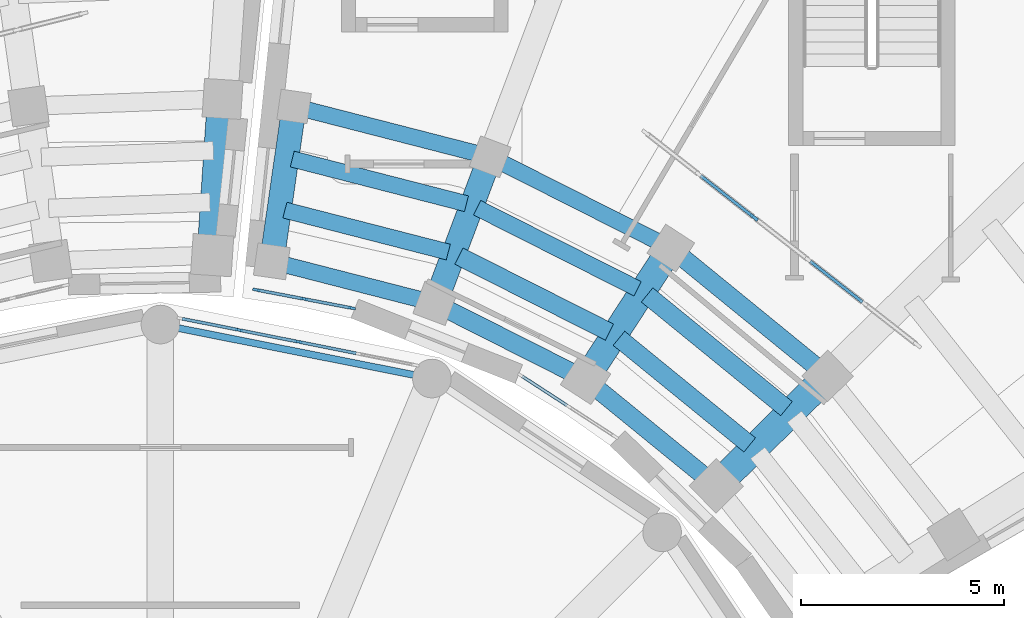
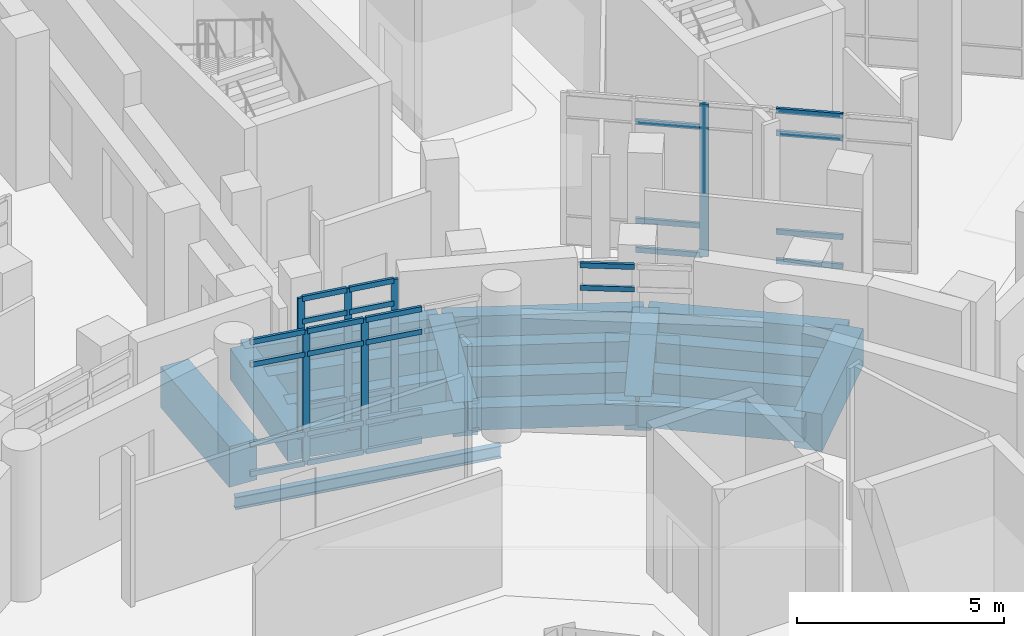
# One storey, part 31 of 89: 35 members, 18 beams, 4 elements without a shape of their own.
"""IFC4 building model written with IfcOpenShell, lengths in metres."""

from ifc_helpers import new_model, si_unit, direction, frame, origin, origin_2d, place, context, subcontext, project, spatial, rectangle, i_section, extrude, material, material_profile, profile_set, type_object, element, aggregate, save


model = new_model("IFC4")

# Units and contexts
model_context = context("Model", 3, precision=1e-05, world=origin(), true_north=direction((0.0, 1.0)))
body_context = subcontext(model_context, "Body", "Model", "MODEL_VIEW")
ifc_project = project(units=[si_unit("LENGTHUNIT", "METRE"), si_unit("AREAUNIT", "SQUARE_METRE"), si_unit("VOLUMEUNIT", "CUBIC_METRE"), si_unit("PLANEANGLEUNIT", "RADIAN"), si_unit("MASSUNIT", "GRAM", prefix="KILO")], contexts=[model_context])

# Site, building, storey
site_placement = place(None, origin())
site = spatial("IfcSite", under=ifc_project, at=site_placement, CompositionType="ELEMENT")
building_placement = place(site_placement, origin())
building = spatial("IfcBuilding", under=site, at=building_placement, Name="Soyqirgoq Riverine Aquarium", CompositionType="ELEMENT")
storey_placement = place(building_placement, frame((0.0, 0.0, 5.39990234375)))
storey = spatial("IfcBuildingStorey", under=building, at=storey_placement, Name="L02", CompositionType="ELEMENT", Elevation=5.39990234375)

# Beams
ifc_material_1 = material(Name="Concrete C40/50", Category="concrete")
ifc_material_profile_1 = material_profile(ifc_material_1, rectangle(XDim=0.39990234375, YDim=0.64990234375, at=origin_2d()), Name="RC 400x650")
ifc_profile_set_1 = profile_set([ifc_material_profile_1], Name="Concrete C40/50")
beam_type_1 = type_object("IfcBeamType", Name="Beam_RC_400x650", PredefinedType="BEAM", material=ifc_profile_set_1)
beam_1_placement = place(storey_placement, frame((63.52734375, 77.421630859375, -0.625), z_axis=(-0.968581092825, 0.248697942538, 0.0), x_axis=(-0.248697942538, -0.968581092825, 0.0)))
element("IfcBeam", 1, at=beam_1_placement, inside=storey, type_object=beam_type_1, Name="V5 L02 Secondary Floor Joist 0824", PredefinedType="BEAM", context=body_context, shape_type="SweptSolid", body=[
    extrude(rectangle(XDim=0.39990234375, YDim=0.64990234375, at=origin_2d()), origin(), (0.0, 0.0, 1.0), 4.42431640625),
])
beam_2_placement = place(storey_placement, frame((64.0615234375, 78.588623046875, -0.625), z_axis=(-0.968580462417, 0.248700397717, 0.0), x_axis=(-0.248700397717, -0.968580462417, 0.0)))
element("IfcBeam", 2, at=beam_2_placement, inside=storey, type_object=beam_type_1, Name="V5 L02 Wedge Chord Beam 0828", PredefinedType="BEAM", context=body_context, shape_type="SweptSolid", body=[
    extrude(rectangle(XDim=0.39990234375, YDim=0.64990234375, at=origin_2d()), origin(), (0.0, 0.0, 1.0), 4.87890625),
])
ifc_material_2 = material(Name="Concrete C40/50", Category="concrete")
ifc_material_profile_2 = material_profile(ifc_material_2, rectangle(XDim=0.39990234375, YDim=0.699951171875, at=origin_2d()), Name="RC 400x700")
ifc_profile_set_2 = profile_set([ifc_material_profile_2], Name="Concrete C40/50")
beam_type_2 = type_object("IfcBeamType", Name="Beam_RC_400x700", PredefinedType="BEAM", material=ifc_profile_set_2)
beam_3_placement = place(storey_placement, frame((62.70703125, 74.984619140625, -0.64990234375), z_axis=(-0.968579337856, 0.248704777354, 0.0), x_axis=(-0.248704777354, -0.968579337856, 0.0)))
element("IfcBeam", 3, at=beam_3_placement, inside=storey, type_object=beam_type_2, Name="V5 L02 Wedge Chord Beam 0816", PredefinedType="BEAM", context=body_context, shape_type="SweptSolid", body=[
    extrude(rectangle(XDim=0.39990234375, YDim=0.699951171875, at=origin_2d()), origin(), (0.0, 0.0, 1.0), 4.04736328125),
])
beam_4_placement = place(storey_placement, frame((67.737060546875, 75.3291015625, -0.64990234375), z_axis=(-0.89260992487, 0.450829814923, 0.0), x_axis=(-0.450829814923, -0.89260992487, 0.0)))
element("IfcBeam", 4, at=beam_4_placement, inside=storey, type_object=beam_type_2, Name="V5 L02 Secondary Floor Joist 0822", PredefinedType="BEAM", context=body_context, shape_type="SweptSolid", body=[
    extrude(rectangle(XDim=0.39990234375, YDim=0.699951171875, at=origin_2d()), origin(), (0.0, 0.0, 1.0), 4.42431640625),
])
beam_5_placement = place(storey_placement, frame((63.080322265625, 76.232421875, -0.64990234375), z_axis=(-0.96858651554, 0.24867682223, 0.0), x_axis=(-0.24867682223, -0.96858651554, 0.0)))
element("IfcBeam", 5, at=beam_5_placement, inside=storey, type_object=beam_type_2, Name="V5 L02 Secondary Floor Joist 0823", PredefinedType="BEAM", context=body_context, shape_type="SweptSolid", body=[
    extrude(rectangle(XDim=0.39990234375, YDim=0.699951171875, at=origin_2d()), origin(), (0.0, 0.0, 1.0), 4.14990234375),
])
beam_6_placement = place(storey_placement, frame((68.50927734375, 76.35400390625, -0.64990234375), z_axis=(-0.892588175526, 0.450872874446, 0.0), x_axis=(-0.450872874446, -0.892588175526, 0.0)))
element("IfcBeam", 6, at=beam_6_placement, inside=storey, type_object=beam_type_2, Name="V5 L02 Wedge Chord Beam 0827", PredefinedType="BEAM", context=body_context, shape_type="SweptSolid", body=[
    extrude(rectangle(XDim=0.39990234375, YDim=0.699951171875, at=origin_2d()), origin(), (0.0, 0.0, 1.0), 4.878662109375),
])
ifc_material_3 = material(Name="Concrete C40/50", Category="concrete")
ifc_material_profile_3 = material_profile(ifc_material_3, rectangle(XDim=0.449951171875, YDim=0.64990234375, at=origin_2d()), Name="RC 450x650")
ifc_profile_set_3 = profile_set([ifc_material_profile_3], Name="Concrete C40/50")
beam_type_3 = type_object("IfcBeamType", Name="Beam_RC_450x650", PredefinedType="BEAM", material=ifc_profile_set_3)
beam_7_placement = place(storey_placement, frame((66.41259765625, 73.125, -0.625), z_axis=(-0.892598018236, 0.45085338841, 0.0), x_axis=(-0.45085338841, -0.892598018236, 0.0)))
element("IfcBeam", 7, at=beam_7_placement, inside=storey, type_object=beam_type_3, Name="V5 L02 Wedge Chord Beam 0815", PredefinedType="BEAM", context=body_context, shape_type="SweptSolid", body=[
    extrude(rectangle(XDim=0.449951171875, YDim=0.64990234375, at=origin_2d()), origin(), (0.0, 0.0, 1.0), 4.047119140625),
])
beam_8_placement = place(storey_placement, frame((71.399169921875, 72.381103515625, -0.625), z_axis=(-0.774944675392, 0.632029073763, 0.0), x_axis=(-0.632029073763, -0.774944675392, 0.0)))
element("IfcBeam", 8, at=beam_8_placement, inside=storey, type_object=beam_type_3, Name="V5 L02 Secondary Floor Joist 0820", PredefinedType="BEAM", context=body_context, shape_type="SweptSolid", body=[
    extrude(rectangle(XDim=0.449951171875, YDim=0.64990234375, at=origin_2d()), origin(), (0.0, 0.0, 1.0), 4.424560546875),
])
beam_9_placement = place(storey_placement, frame((67.044921875, 74.263427734375, -0.625), z_axis=(-0.892584129687, 0.45088088386, 0.0), x_axis=(-0.45088088386, -0.892584129687, 0.0)))
element("IfcBeam", 9, at=beam_9_placement, inside=storey, type_object=beam_type_3, Name="V5 L02 Secondary Floor Joist 0821", PredefinedType="BEAM", context=body_context, shape_type="SweptSolid", body=[
    extrude(rectangle(XDim=0.449951171875, YDim=0.64990234375, at=origin_2d()), origin(), (0.0, 0.0, 1.0), 4.14990234375),
])
beam_10_placement = place(storey_placement, frame((72.37353515625, 73.21630859375, -0.625), z_axis=(-0.77496627639, 0.632002587383, 0.0), x_axis=(-0.632002587383, -0.77496627639, 0.0)))
element("IfcBeam", 10, at=beam_10_placement, inside=storey, type_object=beam_type_3, Name="V5 L02 Wedge Chord Beam 0826", PredefinedType="BEAM", context=body_context, shape_type="SweptSolid", body=[
    extrude(rectangle(XDim=0.449951171875, YDim=0.64990234375, at=origin_2d()), origin(), (0.0, 0.0, 1.0), 4.87890625),
])
ifc_material_4 = material(Name="Concrete C40/50", Category="concrete")
ifc_material_profile_4 = material_profile(ifc_material_4, rectangle(XDim=0.449951171875, YDim=0.699951171875, at=origin_2d()), Name="RC 450x700")
ifc_profile_set_4 = profile_set([ifc_material_profile_4], Name="Concrete C40/50")
beam_type_4 = type_object("IfcBeamType", Name="Beam_RC_450x700", PredefinedType="BEAM", material=ifc_profile_set_4)
beam_11_placement = place(storey_placement, frame((69.632080078125, 70.512939453125, -0.64990234375), z_axis=(-0.774942773491, 0.632031405719, 0.0), x_axis=(-0.632031405719, -0.774942773491, 0.0)))
element("IfcBeam", 11, at=beam_11_placement, inside=storey, type_object=beam_type_4, Name="V5 L02 Wedge Chord Beam 0814", PredefinedType="BEAM", context=body_context, shape_type="SweptSolid", body=[
    extrude(rectangle(XDim=0.449951171875, YDim=0.699951171875, at=origin_2d()), origin(), (0.0, 0.0, 1.0), 4.047119140625),
])
beam_12_placement = place(storey_placement, frame((70.494384765625, 71.489013671875, -0.64990234375), z_axis=(-0.774939332503, 0.63203562474, 0.0), x_axis=(-0.63203562474, -0.774939332503, 0.0)))
element("IfcBeam", 12, at=beam_12_placement, inside=storey, type_object=beam_type_4, Name="V5 L02 Secondary Floor Joist 0819", PredefinedType="BEAM", context=body_context, shape_type="SweptSolid", body=[
    extrude(rectangle(XDim=0.449951171875, YDim=0.699951171875, at=origin_2d()), origin(), (0.0, 0.0, 1.0), 4.149658203125),
])

# Curtain wall, members
ifc_material_5 = material(Name="Anodised aluminium thermally broken triple low-E glazing", Category="aluminium")
curtain_wall_type_1 = type_object("IfcCurtainWallType", Name="CW_DrumGallery_Unitised", PredefinedType="NOTDEFINED", material=ifc_material_5)
curtain_wall_1_placement = place(storey_placement, origin())
curtain_wall_1 = element("IfcCurtainWall", 13, at=curtain_wall_1_placement, inside=storey, type_object=curtain_wall_type_1, Name="V1 L02 Curtain Wall 013", PredefinedType="NOTDEFINED")
ifc_material_6 = material(Name="Anodised aluminium 6063-T6", Category="aluminium")
ifc_material_profile_5 = material_profile(ifc_material_6, rectangle(XDim=0.06494140625, YDim=0.179931640625, at=origin_2d()), Name="ALU-M 65x180")
ifc_profile_set_5 = profile_set([ifc_material_profile_5], Name="Anodised aluminium 6063-T6")
member_type_1 = type_object("IfcMemberType", Name="CWMullion_65x180", PredefinedType="MULLION", material=ifc_profile_set_5)
member_1_placement = place(storey_placement, frame((59.38671875, 74.0263671875, 0.0), z_axis=(0.0, 0.0, 1.0), x_axis=(-0.195088165618, -0.980785709335, 0.0)))
member_1 = element("IfcMember", 14, at=member_1_placement, type_object=member_type_1, Name="CW-01 mullion 3", PredefinedType="MULLION", context=body_context, shape_type="SweptSolid", body=[
    extrude(rectangle(XDim=0.06494140625, YDim=0.179931640625, at=origin_2d()), origin(), (0.0, 0.0, 1.0), 3.9501953125),
])
member_2_placement = place(storey_placement, frame((57.927978515625, 74.31640625, 0.0), z_axis=(0.0, 0.0, 1.0), x_axis=(-0.195088165618, -0.980785709335, 0.0)))
member_2 = element("IfcMember", 15, at=member_2_placement, type_object=member_type_1, Name="CW-01 mullion 4", PredefinedType="MULLION", context=body_context, shape_type="SweptSolid", body=[
    extrude(rectangle(XDim=0.06494140625, YDim=0.179931640625, at=origin_2d()), origin(), (0.0, 0.0, 1.0), 3.9501953125),
])

ifc_material_7 = material(Name="Anodised aluminium thermally broken double low-E glazing", Category="aluminium")
curtain_wall_type_2 = type_object("IfcCurtainWallType", Name="CW_Wedge_NorthBay", PredefinedType="NOTDEFINED", material=ifc_material_7)
curtain_wall_2_placement = place(storey_placement, origin())
curtain_wall_2 = element("IfcCurtainWall", 16, at=curtain_wall_2_placement, inside=storey, type_object=curtain_wall_type_2, Name="V5 L02 Curtain Wall 095", PredefinedType="NOTDEFINED")
member_3_placement = place(storey_placement, frame((60.709228515625, 74.8544921875, 0.0), z_axis=(0.0, 0.0, 1.0), x_axis=(-0.187684047551, -0.982229452977, 0.0)))
member_3 = element("IfcMember", 17, at=member_3_placement, type_object=member_type_1, Name="CW-03 mullion 1", PredefinedType="MULLION", context=body_context, shape_type="SweptSolid", body=[
    extrude(rectangle(XDim=0.06494140625, YDim=0.179931640625, at=origin_2d()), origin(), (0.0, 0.0, 1.0), 4.150146484375),
])
member_4_placement = place(storey_placement, frame((59.533935546875, 75.0791015625, 0.0), z_axis=(0.0, 0.0, 1.0), x_axis=(-0.187684047551, -0.982229452977, 0.0)))
member_4 = element("IfcMember", 18, at=member_4_placement, type_object=member_type_1, Name="CW-03 mullion 2", PredefinedType="MULLION", context=body_context, shape_type="SweptSolid", body=[
    extrude(rectangle(XDim=0.06494140625, YDim=0.179931640625, at=origin_2d()), origin(), (0.0, 0.0, 1.0), 4.150146484375),
])
member_5_placement = place(storey_placement, frame((58.3583984375, 75.3037109375, 0.0), z_axis=(0.0, 0.0, 1.0), x_axis=(-0.187684047551, -0.982229452977, 0.0)))
member_5 = element("IfcMember", 19, at=member_5_placement, type_object=member_type_1, Name="CW-03 mullion 3", PredefinedType="MULLION", context=body_context, shape_type="SweptSolid", body=[
    extrude(rectangle(XDim=0.06494140625, YDim=0.179931640625, at=origin_2d()), origin(), (0.0, 0.0, 1.0), 4.150146484375),
])

# Curtain wall, member
ifc_material_8 = material(Name="Cast polymethyl methacrylate PMMA Habitat Viewing Glazing", Category="glass")
curtain_wall_type_3 = type_object("IfcCurtainWallType", Name="CW_Interior_TankVitrine", PredefinedType="NOTDEFINED", material=ifc_material_8)
curtain_wall_3_placement = place(storey_placement, origin())
curtain_wall_3 = element("IfcCurtainWall", 20, at=curtain_wall_3_placement, inside=storey, type_object=curtain_wall_type_3, Name="V5 L02 Curtain Wall 159", PredefinedType="NOTDEFINED")
ifc_material_9 = material(Name="Anodised aluminium 6063-T6", Category="aluminium")
ifc_material_profile_6 = material_profile(ifc_material_9, rectangle(XDim=0.080078125, YDim=0.219970703125, at=origin_2d()), Name="ALU-M 80x220")
ifc_profile_set_6 = profile_set([ifc_material_profile_6], Name="Anodised aluminium 6063-T6")
member_type_2 = type_object("IfcMemberType", Name="CWMullion_80x220", PredefinedType="MULLION", material=ifc_profile_set_6)
member_6_placement = place(storey_placement, frame((70.60498046875, 77.082763671875, 0.0), z_axis=(0.0, 0.0, 1.0), x_axis=(-0.615661060826, -0.788011077449, 0.0)))
member_6 = element("IfcMember", 21, at=member_6_placement, type_object=member_type_2, Name="CW-07 mullion 4", PredefinedType="MULLION", context=body_context, shape_type="SweptSolid", body=[
    extrude(rectangle(XDim=0.080078125, YDim=0.219970703125, at=origin_2d()), origin(), (0.0, 0.0, 1.0), 4.5),
])

# Member
ifc_material_10 = material(Name="Anodised aluminium 6063-T6", Category="aluminium")
ifc_material_profile_7 = material_profile(ifc_material_10, rectangle(XDim=0.074951171875, YDim=0.14990234375, at=origin_2d()), Name="ALU-T 75x150")
ifc_profile_set_7 = profile_set([ifc_material_profile_7], Name="Anodised aluminium 6063-T6")
member_type_3 = type_object("IfcMemberType", Name="CWTransom_75x150", PredefinedType="USERDEFINED", material=ifc_profile_set_7)
member_7_placement = place(storey_placement, frame((60.813720703125, 73.742431640625, 0.03759765625), z_axis=(-0.980771657116, 0.195158798415, 0.0), x_axis=(-0.195158798415, -0.980771657116, 0.0)))
member_7 = element("IfcMember", 22, at=member_7_placement, type_object=member_type_3, Name="CW-01 transom 2.1", ObjectType="TRANSOM", PredefinedType="USERDEFINED", context=body_context, shape_type="SweptSolid", body=[
    extrude(rectangle(XDim=0.074951171875, YDim=0.14990234375, at=origin_2d()), origin(), (0.0, 0.0, 1.0), 1.42236328125),
])

member_8_placement = place(storey_placement, frame((60.813720703125, 73.742431640625, 0.900146484375), z_axis=(-0.980771657116, 0.195158798415, 0.0), x_axis=(-0.195158798415, -0.980771657116, 0.0)))
member_8 = element("IfcMember", 23, at=member_8_placement, type_object=member_type_3, Name="CW-01 transom 2.2", ObjectType="TRANSOM", PredefinedType="USERDEFINED", context=body_context, shape_type="SweptSolid", body=[
    extrude(rectangle(XDim=0.074951171875, YDim=0.14990234375, at=origin_2d()), origin(), (0.0, 0.0, 1.0), 1.42236328125),
])

member_9_placement = place(storey_placement, frame((60.813720703125, 73.742431640625, 3.25), z_axis=(-0.980771657116, 0.195158798415, 0.0), x_axis=(-0.195158798415, -0.980771657116, 0.0)))
member_9 = element("IfcMember", 24, at=member_9_placement, type_object=member_type_3, Name="CW-01 transom 2.3", ObjectType="TRANSOM", PredefinedType="USERDEFINED", context=body_context, shape_type="SweptSolid", body=[
    extrude(rectangle(XDim=0.074951171875, YDim=0.14990234375, at=origin_2d()), origin(), (0.0, 0.0, 1.0), 1.42236328125),
])

member_10_placement = place(storey_placement, frame((60.813720703125, 73.742431640625, 3.91259765625), z_axis=(-0.980771657116, 0.195158798415, 0.0), x_axis=(-0.195158798415, -0.980771657116, 0.0)))
member_10 = element("IfcMember", 25, at=member_10_placement, type_object=member_type_3, Name="CW-01 transom 2.4", ObjectType="TRANSOM", PredefinedType="USERDEFINED", context=body_context, shape_type="SweptSolid", body=[
    extrude(rectangle(XDim=0.074951171875, YDim=0.14990234375, at=origin_2d()), origin(), (0.0, 0.0, 1.0), 1.42236328125),
])

member_11_placement = place(storey_placement, frame((59.35498046875, 74.03271484375, 0.03759765625), z_axis=(-0.980778192848, 0.195125950178, 0.0), x_axis=(-0.195125950178, -0.980778192848, 0.0)))
member_11 = element("IfcMember", 26, at=member_11_placement, type_object=member_type_3, Name="CW-01 transom 3.1", ObjectType="TRANSOM", PredefinedType="USERDEFINED", context=body_context, shape_type="SweptSolid", body=[
    extrude(rectangle(XDim=0.074951171875, YDim=0.14990234375, at=origin_2d()), origin(), (0.0, 0.0, 1.0), 1.422607421875),
])

member_12_placement = place(storey_placement, frame((59.35498046875, 74.03271484375, 0.900146484375), z_axis=(-0.980778192848, 0.195125950178, 0.0), x_axis=(-0.195125950178, -0.980778192848, 0.0)))
member_12 = element("IfcMember", 27, at=member_12_placement, type_object=member_type_3, Name="CW-01 transom 3.2", ObjectType="TRANSOM", PredefinedType="USERDEFINED", context=body_context, shape_type="SweptSolid", body=[
    extrude(rectangle(XDim=0.074951171875, YDim=0.14990234375, at=origin_2d()), origin(), (0.0, 0.0, 1.0), 1.422607421875),
])

member_13_placement = place(storey_placement, frame((59.35498046875, 74.03271484375, 3.25), z_axis=(-0.980778192848, 0.195125950178, 0.0), x_axis=(-0.195125950178, -0.980778192848, 0.0)))
member_13 = element("IfcMember", 28, at=member_13_placement, type_object=member_type_3, Name="CW-01 transom 3.3", ObjectType="TRANSOM", PredefinedType="USERDEFINED", context=body_context, shape_type="SweptSolid", body=[
    extrude(rectangle(XDim=0.074951171875, YDim=0.14990234375, at=origin_2d()), origin(), (0.0, 0.0, 1.0), 1.422607421875),
])

member_14_placement = place(storey_placement, frame((59.35498046875, 74.03271484375, 3.91259765625), z_axis=(-0.980778192848, 0.195125950178, 0.0), x_axis=(-0.195125950178, -0.980778192848, 0.0)))
member_14 = element("IfcMember", 29, at=member_14_placement, type_object=member_type_3, Name="CW-01 transom 3.4", ObjectType="TRANSOM", PredefinedType="USERDEFINED", context=body_context, shape_type="SweptSolid", body=[
    extrude(rectangle(XDim=0.074951171875, YDim=0.14990234375, at=origin_2d()), origin(), (0.0, 0.0, 1.0), 1.422607421875),
])

member_15_placement = place(storey_placement, frame((57.89599609375, 74.32275390625, 0.03759765625), z_axis=(-0.980769403258, 0.195170124847, 0.0), x_axis=(-0.195170124847, -0.980769403258, 0.0)))
member_15 = element("IfcMember", 30, at=member_15_placement, type_object=member_type_3, Name="CW-01 transom 4.1", ObjectType="TRANSOM", PredefinedType="USERDEFINED", context=body_context, shape_type="SweptSolid", body=[
    extrude(rectangle(XDim=0.074951171875, YDim=0.14990234375, at=origin_2d()), origin(), (0.0, 0.0, 1.0), 1.3896484375),
])

member_16_placement = place(storey_placement, frame((57.89599609375, 74.32275390625, 0.900146484375), z_axis=(-0.980769403258, 0.195170124847, 0.0), x_axis=(-0.195170124847, -0.980769403258, 0.0)))
member_16 = element("IfcMember", 31, at=member_16_placement, type_object=member_type_3, Name="CW-01 transom 4.2", ObjectType="TRANSOM", PredefinedType="USERDEFINED", context=body_context, shape_type="SweptSolid", body=[
    extrude(rectangle(XDim=0.074951171875, YDim=0.14990234375, at=origin_2d()), origin(), (0.0, 0.0, 1.0), 1.3896484375),
])

member_17_placement = place(storey_placement, frame((57.89599609375, 74.32275390625, 3.25), z_axis=(-0.980769403258, 0.195170124847, 0.0), x_axis=(-0.195170124847, -0.980769403258, 0.0)))
member_17 = element("IfcMember", 32, at=member_17_placement, type_object=member_type_3, Name="CW-01 transom 4.3", ObjectType="TRANSOM", PredefinedType="USERDEFINED", context=body_context, shape_type="SweptSolid", body=[
    extrude(rectangle(XDim=0.074951171875, YDim=0.14990234375, at=origin_2d()), origin(), (0.0, 0.0, 1.0), 1.3896484375),
])

member_18_placement = place(storey_placement, frame((57.89599609375, 74.32275390625, 3.91259765625), z_axis=(-0.980769403258, 0.195170124847, 0.0), x_axis=(-0.195170124847, -0.980769403258, 0.0)))
member_18 = element("IfcMember", 33, at=member_18_placement, type_object=member_type_3, Name="CW-01 transom 4.4", ObjectType="TRANSOM", PredefinedType="USERDEFINED", context=body_context, shape_type="SweptSolid", body=[
    extrude(rectangle(XDim=0.074951171875, YDim=0.14990234375, at=origin_2d()), origin(), (0.0, 0.0, 1.0), 1.3896484375),
])

aggregate(curtain_wall_1, [member_1, member_2, member_7, member_8, member_9, member_10, member_11, member_12, member_13, member_14, member_15, member_16, member_17, member_18])

# Curtain wall, members
curtain_wall_4_placement = place(storey_placement, origin())
curtain_wall_4 = element("IfcCurtainWall", 34, at=curtain_wall_4_placement, inside=storey, type_object=curtain_wall_type_2, Name="V5 L02 Curtain Wall 094", PredefinedType="NOTDEFINED")
member_19_placement = place(storey_placement, frame((66.001220703125, 72.46044921875, 3.4501953125), z_axis=(-0.838690173808, 0.544608843445, 0.0), x_axis=(-0.544608843445, -0.838690173808, 0.0)))
member_19 = element("IfcMember", 35, at=member_19_placement, type_object=member_type_3, Name="CW-03 transom 2.3", ObjectType="TRANSOM", PredefinedType="USERDEFINED", context=body_context, shape_type="SweptSolid", body=[
    extrude(rectangle(XDim=0.074951171875, YDim=0.14990234375, at=origin_2d()), origin(), (0.0, 0.0, 1.0), 1.311767578125),
])
member_20_placement = place(storey_placement, frame((66.001220703125, 72.46044921875, 4.112548828125), z_axis=(-0.838690173808, 0.544608843445, 0.0), x_axis=(-0.544608843445, -0.838690173808, 0.0)))
member_20 = element("IfcMember", 36, at=member_20_placement, type_object=member_type_3, Name="CW-03 transom 2.4", ObjectType="TRANSOM", PredefinedType="USERDEFINED", context=body_context, shape_type="SweptSolid", body=[
    extrude(rectangle(XDim=0.074951171875, YDim=0.14990234375, at=origin_2d()), origin(), (0.0, 0.0, 1.0), 1.311767578125),
])
aggregate(curtain_wall_4, [member_19, member_20])

# Member
member_21_placement = place(storey_placement, frame((60.67724609375, 74.860595703125, 0.03759765625), z_axis=(-0.982228879819, 0.187687047099, 0.0), x_axis=(-0.187687047099, -0.982228879819, 0.0)))
member_21 = element("IfcMember", 37, at=member_21_placement, type_object=member_type_3, Name="CW-03 transom 1.1", ObjectType="TRANSOM", PredefinedType="USERDEFINED", context=body_context, shape_type="SweptSolid", body=[
    extrude(rectangle(XDim=0.074951171875, YDim=0.14990234375, at=origin_2d()), origin(), (0.0, 0.0, 1.0), 1.131591796875),
])

member_22_placement = place(storey_placement, frame((60.67724609375, 74.860595703125, 0.900146484375), z_axis=(-0.982228879819, 0.187687047099, 0.0), x_axis=(-0.187687047099, -0.982228879819, 0.0)))
member_22 = element("IfcMember", 38, at=member_22_placement, type_object=member_type_3, Name="CW-03 transom 1.2", ObjectType="TRANSOM", PredefinedType="USERDEFINED", context=body_context, shape_type="SweptSolid", body=[
    extrude(rectangle(XDim=0.074951171875, YDim=0.14990234375, at=origin_2d()), origin(), (0.0, 0.0, 1.0), 1.131591796875),
])

member_23_placement = place(storey_placement, frame((60.67724609375, 74.860595703125, 3.4501953125), z_axis=(-0.982228879819, 0.187687047099, 0.0), x_axis=(-0.187687047099, -0.982228879819, 0.0)))
member_23 = element("IfcMember", 39, at=member_23_placement, type_object=member_type_3, Name="CW-03 transom 1.3", ObjectType="TRANSOM", PredefinedType="USERDEFINED", context=body_context, shape_type="SweptSolid", body=[
    extrude(rectangle(XDim=0.074951171875, YDim=0.14990234375, at=origin_2d()), origin(), (0.0, 0.0, 1.0), 1.131591796875),
])

member_24_placement = place(storey_placement, frame((60.67724609375, 74.860595703125, 4.112548828125), z_axis=(-0.982228879819, 0.187687047099, 0.0), x_axis=(-0.187687047099, -0.982228879819, 0.0)))
member_24 = element("IfcMember", 40, at=member_24_placement, type_object=member_type_3, Name="CW-03 transom 1.4", ObjectType="TRANSOM", PredefinedType="USERDEFINED", context=body_context, shape_type="SweptSolid", body=[
    extrude(rectangle(XDim=0.074951171875, YDim=0.14990234375, at=origin_2d()), origin(), (0.0, 0.0, 1.0), 1.131591796875),
])

member_25_placement = place(storey_placement, frame((59.501953125, 75.085205078125, 0.03759765625), z_axis=(-0.982228879819, 0.187687047099, 0.0), x_axis=(-0.187687047099, -0.982228879819, 0.0)))
member_25 = element("IfcMember", 41, at=member_25_placement, type_object=member_type_3, Name="CW-03 transom 2.1", ObjectType="TRANSOM", PredefinedType="USERDEFINED", context=body_context, shape_type="SweptSolid", body=[
    extrude(rectangle(XDim=0.074951171875, YDim=0.14990234375, at=origin_2d()), origin(), (0.0, 0.0, 1.0), 1.131591796875),
])

member_26_placement = place(storey_placement, frame((59.501953125, 75.085205078125, 0.900146484375), z_axis=(-0.982228879819, 0.187687047099, 0.0), x_axis=(-0.187687047099, -0.982228879819, 0.0)))
member_26 = element("IfcMember", 42, at=member_26_placement, type_object=member_type_3, Name="CW-03 transom 2.2", ObjectType="TRANSOM", PredefinedType="USERDEFINED", context=body_context, shape_type="SweptSolid", body=[
    extrude(rectangle(XDim=0.074951171875, YDim=0.14990234375, at=origin_2d()), origin(), (0.0, 0.0, 1.0), 1.131591796875),
])

member_27_placement = place(storey_placement, frame((59.501953125, 75.085205078125, 3.4501953125), z_axis=(-0.982228879819, 0.187687047099, 0.0), x_axis=(-0.187687047099, -0.982228879819, 0.0)))
member_27 = element("IfcMember", 43, at=member_27_placement, type_object=member_type_3, Name="CW-03 transom 2.3", ObjectType="TRANSOM", PredefinedType="USERDEFINED", context=body_context, shape_type="SweptSolid", body=[
    extrude(rectangle(XDim=0.074951171875, YDim=0.14990234375, at=origin_2d()), origin(), (0.0, 0.0, 1.0), 1.131591796875),
])

member_28_placement = place(storey_placement, frame((59.501953125, 75.085205078125, 4.112548828125), z_axis=(-0.982228879819, 0.187687047099, 0.0), x_axis=(-0.187687047099, -0.982228879819, 0.0)))
member_28 = element("IfcMember", 44, at=member_28_placement, type_object=member_type_3, Name="CW-03 transom 2.4", ObjectType="TRANSOM", PredefinedType="USERDEFINED", context=body_context, shape_type="SweptSolid", body=[
    extrude(rectangle(XDim=0.074951171875, YDim=0.14990234375, at=origin_2d()), origin(), (0.0, 0.0, 1.0), 1.131591796875),
])

aggregate(curtain_wall_2, [member_3, member_4, member_5, member_21, member_22, member_23, member_24, member_25, member_26, member_27, member_28])

member_29_placement = place(storey_placement, frame((73.26904296875, 75.001220703125, 0.03759765625), z_axis=(-0.787947180465, 0.615742836578, 0.0), x_axis=(-0.615742836578, -0.787947180465, 0.0)))
member_29 = element("IfcMember", 45, at=member_29_placement, type_object=member_type_3, Name="CW-07 transom 2.1", ObjectType="TRANSOM", PredefinedType="USERDEFINED", context=body_context, shape_type="SweptSolid", body=[
    extrude(rectangle(XDim=0.074951171875, YDim=0.14990234375, at=origin_2d()), origin(), (0.0, 0.0, 1.0), 1.63037109375),
])

member_30_placement = place(storey_placement, frame((73.26904296875, 75.001220703125, 0.900146484375), z_axis=(-0.787947180465, 0.615742836578, 0.0), x_axis=(-0.615742836578, -0.787947180465, 0.0)))
member_30 = element("IfcMember", 46, at=member_30_placement, type_object=member_type_3, Name="CW-07 transom 2.2", ObjectType="TRANSOM", PredefinedType="USERDEFINED", context=body_context, shape_type="SweptSolid", body=[
    extrude(rectangle(XDim=0.074951171875, YDim=0.14990234375, at=origin_2d()), origin(), (0.0, 0.0, 1.0), 1.63037109375),
])

member_31_placement = place(storey_placement, frame((73.26904296875, 75.001220703125, 3.800048828125), z_axis=(-0.787947180465, 0.615742836578, 0.0), x_axis=(-0.615742836578, -0.787947180465, 0.0)))
member_31 = element("IfcMember", 47, at=member_31_placement, type_object=member_type_3, Name="CW-07 transom 2.3", ObjectType="TRANSOM", PredefinedType="USERDEFINED", context=body_context, shape_type="SweptSolid", body=[
    extrude(rectangle(XDim=0.074951171875, YDim=0.14990234375, at=origin_2d()), origin(), (0.0, 0.0, 1.0), 1.63037109375),
])

member_32_placement = place(storey_placement, frame((73.26904296875, 75.001220703125, 4.462646484375), z_axis=(-0.787947180465, 0.615742836578, 0.0), x_axis=(-0.615742836578, -0.787947180465, 0.0)))
member_32 = element("IfcMember", 48, at=member_32_placement, type_object=member_type_3, Name="CW-07 transom 2.4", ObjectType="TRANSOM", PredefinedType="USERDEFINED", context=body_context, shape_type="SweptSolid", body=[
    extrude(rectangle(XDim=0.074951171875, YDim=0.14990234375, at=origin_2d()), origin(), (0.0, 0.0, 1.0), 1.63037109375),
])

member_33_placement = place(storey_placement, frame((70.573486328125, 77.107421875, 0.03759765625), z_axis=(-0.788019832869, 0.615649854223, 0.0), x_axis=(-0.615649854223, -0.788019832869, 0.0)))
member_33 = element("IfcMember", 49, at=member_33_placement, type_object=member_type_3, Name="CW-07 transom 4.1", ObjectType="TRANSOM", PredefinedType="USERDEFINED", context=body_context, shape_type="SweptSolid", body=[
    extrude(rectangle(XDim=0.074951171875, YDim=0.14990234375, at=origin_2d()), origin(), (0.0, 0.0, 1.0), 1.630126953125),
])

member_34_placement = place(storey_placement, frame((70.573486328125, 77.107421875, 0.900146484375), z_axis=(-0.788019832869, 0.615649854223, 0.0), x_axis=(-0.615649854223, -0.788019832869, 0.0)))
member_34 = element("IfcMember", 50, at=member_34_placement, type_object=member_type_3, Name="CW-07 transom 4.2", ObjectType="TRANSOM", PredefinedType="USERDEFINED", context=body_context, shape_type="SweptSolid", body=[
    extrude(rectangle(XDim=0.074951171875, YDim=0.14990234375, at=origin_2d()), origin(), (0.0, 0.0, 1.0), 1.630126953125),
])

member_35_placement = place(storey_placement, frame((70.573486328125, 77.107421875, 3.800048828125), z_axis=(-0.788019832869, 0.615649854223, 0.0), x_axis=(-0.615649854223, -0.788019832869, 0.0)))
member_35 = element("IfcMember", 51, at=member_35_placement, type_object=member_type_3, Name="CW-07 transom 4.3", ObjectType="TRANSOM", PredefinedType="USERDEFINED", context=body_context, shape_type="SweptSolid", body=[
    extrude(rectangle(XDim=0.074951171875, YDim=0.14990234375, at=origin_2d()), origin(), (0.0, 0.0, 1.0), 1.630126953125),
])

aggregate(curtain_wall_3, [member_6, member_29, member_30, member_31, member_32, member_33, member_34, member_35])

# Beams
ifc_material_11 = material(Name="Concrete C40/50", Category="concrete")
ifc_material_profile_8 = material_profile(ifc_material_11, rectangle(XDim=0.60009765625, YDim=1.0, at=origin_2d()), Name="RC 600x1000")
ifc_profile_set_8 = profile_set([ifc_material_profile_8], Name="Concrete C40/50")
beam_type_5 = type_object("IfcBeamType", Name="Girder_RC_600x1000", PredefinedType="BEAM", material=ifc_profile_set_8)
beam_13_placement = place(storey_placement, frame((62.77294921875, 75.01904296875, -0.7998046875), z_axis=(0.351822543862, 0.936066716442, 0.0), x_axis=(-0.936066716442, 0.351822543862, 0.0)))
element("IfcBeam", 52, at=beam_13_placement, inside=storey, type_object=beam_type_5, Name="V5 L02 Wedge Radial Girder 0808", PredefinedType="BEAM", context=body_context, shape_type="SweptSolid", body=[
    extrude(rectangle(XDim=0.60009765625, YDim=1.0, at=origin_2d()), origin(), (0.0, 0.0, 1.0), 3.75),
])
ifc_material_12 = material(Name="Concrete C40/50", Category="concrete")
ifc_material_profile_9 = material_profile(ifc_material_12, rectangle(XDim=0.60009765625, YDim=0.89990234375, at=origin_2d()), Name="RC 600x900")
ifc_profile_set_9 = profile_set([ifc_material_profile_9], Name="Concrete C40/50")
beam_type_6 = type_object("IfcBeamType", Name="Girder_RC_600x900", PredefinedType="BEAM", material=ifc_profile_set_9)
beam_14_placement = place(storey_placement, frame((58.74560546875, 76.05322265625, -0.75), z_axis=(0.142642597363, 0.989774261848, 0.0), x_axis=(-0.989774261848, 0.142642597363, 0.0)))
element("IfcBeam", 53, at=beam_14_placement, inside=storey, type_object=beam_type_6, Name="V5 L02 Wedge Radial Girder 0811", PredefinedType="BEAM", context=body_context, shape_type="SweptSolid", body=[
    extrude(rectangle(XDim=0.60009765625, YDim=0.89990234375, at=origin_2d()), origin(), (0.0, 0.0, 1.0), 3.75),
])
ifc_material_13 = material(Name="Concrete C40/50", Category="concrete")
ifc_material_profile_10 = material_profile(ifc_material_13, rectangle(XDim=0.64990234375, YDim=1.0, at=origin_2d()), Name="RC 650x1000")
ifc_profile_set_10 = profile_set([ifc_material_profile_10], Name="Concrete C40/50")
beam_type_7 = type_object("IfcBeamType", Name="Girder_RC_650x1000", PredefinedType="BEAM", material=ifc_profile_set_10)
beam_15_placement = place(storey_placement, frame((66.484375, 73.144287109375, -0.7998046875), z_axis=(0.544578680372, 0.838709759621, 0.0), x_axis=(-0.838709759621, 0.544578680372, 0.0)))
element("IfcBeam", 54, at=beam_15_placement, inside=storey, type_object=beam_type_7, Name="V5 L02 Wedge Radial Girder 0806", PredefinedType="BEAM", context=body_context, shape_type="SweptSolid", body=[
    extrude(rectangle(XDim=0.64990234375, YDim=1.0, at=origin_2d()), origin(), (0.0, 0.0, 1.0), 3.75),
])
ifc_material_14 = material(Name="Concrete C40/50", Category="concrete")
ifc_material_profile_11 = material_profile(ifc_material_14, rectangle(XDim=0.699951171875, YDim=1.10009765625, at=origin_2d()), Name="RC 700x1100")
ifc_profile_set_11 = profile_set([ifc_material_profile_11], Name="Concrete C40/50")
beam_type_8 = type_object("IfcBeamType", Name="Girder_RC_700x1100", PredefinedType="BEAM", material=ifc_profile_set_11)
beam_16_placement = place(storey_placement, frame((69.70654296875, 70.516357421875, -0.849853515625), z_axis=(0.712037338503, 0.702141601514, 0.0), x_axis=(-0.702141601514, 0.712037338503, 0.0)))
element("IfcBeam", 55, at=beam_16_placement, inside=storey, type_object=beam_type_8, Name="V5 L02 Wedge Radial Girder 0802", PredefinedType="BEAM", context=body_context, shape_type="SweptSolid", body=[
    extrude(rectangle(XDim=0.699951171875, YDim=1.10009765625, at=origin_2d()), origin(), (0.0, 0.0, 1.0), 3.75),
])
ifc_material_15 = material(Name="Concrete C40/50", Category="concrete")
ifc_material_profile_12 = material_profile(ifc_material_15, rectangle(XDim=0.75, YDim=1.199951171875, at=origin_2d()), Name="RC 750x1200")
ifc_profile_set_12 = profile_set([ifc_material_profile_12], Name="Concrete C40/50")
beam_type_9 = type_object("IfcBeamType", Name="Girder_RC_750x1200", PredefinedType="BEAM", material=ifc_profile_set_12)
beam_17_placement = place(storey_placement, frame((57.27587890625, 76.207763671875, -0.89990234375), z_axis=(0.066277024889, 0.997801260759, 0.0), x_axis=(-0.997801260759, 0.066277024889, 0.0)))
element("IfcBeam", 56, at=beam_17_placement, inside=storey, type_object=beam_type_9, Name="V4 L02 Wedge Radial Girder 0536", PredefinedType="BEAM", context=body_context, shape_type="SweptSolid", body=[
    extrude(rectangle(XDim=0.75, YDim=1.199951171875, at=origin_2d()), origin(), (0.0, 0.0, 1.0), 3.75),
])
ifc_material_16 = material(Name="Structural steel S355", Category="steel")
ifc_material_profile_13 = material_profile(ifc_material_16, i_section(OverallWidth=0.169921875, OverallDepth=0.360107421875, WebThickness=0.008056640625, FlangeThickness=0.0126953125, FilletRadius=0.01806640625, at=origin_2d()), Name="IPE 360")
ifc_profile_set_13 = profile_set([ifc_material_profile_13], Name="Structural steel S355")
beam_type_10 = type_object("IfcBeamType", Name="Spandrel_Steel_IPE360", PredefinedType="SPANDREL", material=ifc_profile_set_13)
beam_18_placement = place(storey_placement, frame((62.658203125, 73.12548828125, -0.52978515625), z_axis=(-0.980784073274, 0.195096390568, 0.0), x_axis=(-0.195096390568, -0.980784073274, 0.0)))
element("IfcBeam", 57, at=beam_18_placement, inside=storey, type_object=beam_type_10, Name="V1 L02 Drum Spandrel Beam 0037", PredefinedType="SPANDREL", context=body_context, shape_type="SweptSolid", body=[
    extrude(i_section(OverallWidth=0.169921875, OverallDepth=0.360107421875, WebThickness=0.008056640625, FlangeThickness=0.0126953125, FilletRadius=0.01806640625, at=origin_2d()), origin(), (0.0, 0.0, 1.0), 6.768798828125),
])

save(model, "model.ifc")
